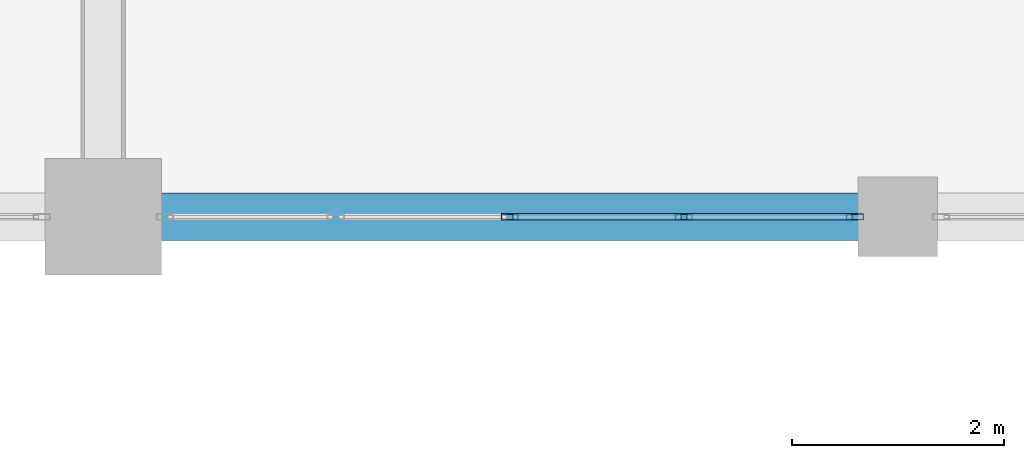
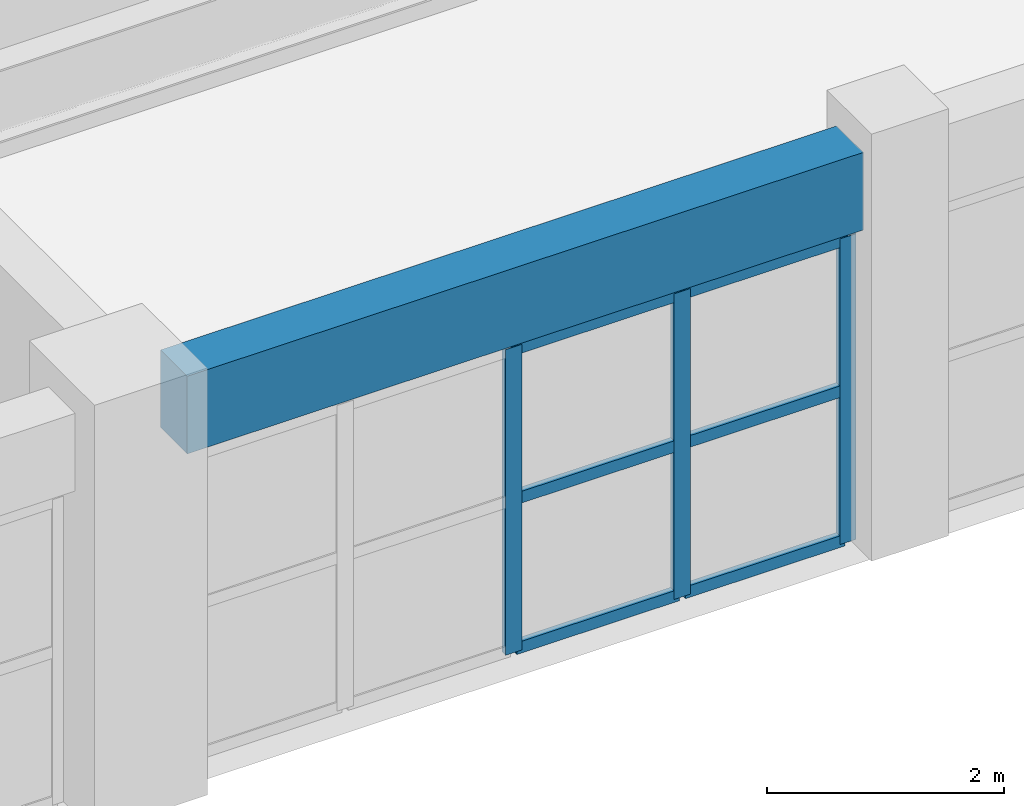
# One storey, part 20 of 90: 9 members, 1 beam, 1 element without a shape of its own.
"""IFC4 building model written with IfcOpenShell, lengths in metres."""

from ifc_helpers import new_model, si_unit, direction, frame, origin, origin_2d, place, context, subcontext, project, spatial, rectangle, hollow_rectangle, extrude, material, layer, layer_set, material_profile, profile_set, type_object, element, aggregate, save


model = new_model("IFC4")

# Units and contexts
model_context = context("Model", 3, precision=1e-05, world=origin(), true_north=direction((0.0, 1.0)))
body_context = subcontext(model_context, "Body", "Model", "MODEL_VIEW")
ifc_project = project(units=[si_unit("LENGTHUNIT", "METRE"), si_unit("AREAUNIT", "SQUARE_METRE"), si_unit("VOLUMEUNIT", "CUBIC_METRE"), si_unit("PLANEANGLEUNIT", "RADIAN"), si_unit("MASSUNIT", "GRAM", prefix="KILO")], contexts=[model_context])

# Site, building, storey
site_placement = place(None, origin())
site = spatial("IfcSite", under=ifc_project, at=site_placement, CompositionType="ELEMENT")
building_placement = place(site_placement, origin())
building = spatial("IfcBuilding", under=site, at=building_placement, Name="Muzn Square Opera House", CompositionType="ELEMENT")
storey_placement = place(building_placement, frame((0.0, 0.0, 9.800048828125)))
storey = spatial("IfcBuildingStorey", under=building, at=storey_placement, Name="L02", CompositionType="ELEMENT", Elevation=9.800048828125)

# Curtain wall, members
ifc_material_1 = material(Name="Low-E laminated acoustic double glazing", Category="glass")
ifc_layer = layer(ifc_material_1, 0.159912109375, Name="Low-E laminated acoustic double glazing", Category="glass")
ifc_layer_set = layer_set([ifc_layer], Name="Low-E laminated acoustic double glazing")
curtain_wall_type = type_object("IfcCurtainWallType", Name="Glazed Curtain Wall Forecourt 6575x3150", PredefinedType="USERDEFINED", material=ifc_layer_set)
curtain_wall_placement = place(storey_placement, origin())
curtain_wall = element("IfcCurtainWall", 1, at=curtain_wall_placement, inside=storey, type_object=curtain_wall_type, Name="Glazed Curtain Wall CW-L02-013", ObjectType="GLAZED CURTAIN WALL", PredefinedType="USERDEFINED")
ifc_material_2 = material(Name="Anodised bronze aluminium 6063-T6", Category="metal")
ifc_material_profile_1 = material_profile(ifc_material_2, hollow_rectangle(XDim=0.06005859375, YDim=0.159912109375, WallThickness=0.00390625, at=origin_2d()), Name="ALU 160x60x4", Category="metal")
ifc_profile_set_1 = profile_set([ifc_material_profile_1], Name="Anodised bronze aluminium 6063-T6")
member_type_1 = type_object("IfcMemberType", Name="Curtain Wall Mullion 160x60", PredefinedType="MULLION", material=ifc_profile_set_1)
member_1_placement = place(storey_placement, frame((76.83740234375, 22.0, 0.0), z_axis=(0.0, 0.0, 1.0), x_axis=(0.0, 1.0, 0.0)))
member_1 = element("IfcMember", 2, at=member_1_placement, type_object=member_type_1, Name="CW-FC-65x31 mullion 3", PredefinedType="MULLION", context=body_context, shape_type="SweptSolid", body=[
    extrude(hollow_rectangle(XDim=0.06005859375, YDim=0.159912109375, WallThickness=0.00390625, at=origin_2d()), origin(), (0.0, 0.0, 1.0), 3.14990234375),
])
member_2_placement = place(storey_placement, frame((78.481201171875, 22.0, 0.0), z_axis=(0.0, 0.0, 1.0), x_axis=(0.0, 1.0, 0.0)))
member_2 = element("IfcMember", 3, at=member_2_placement, type_object=member_type_1, Name="CW-FC-65x31 mullion 4", PredefinedType="MULLION", context=body_context, shape_type="SweptSolid", body=[
    extrude(hollow_rectangle(XDim=0.06005859375, YDim=0.159912109375, WallThickness=0.00390625, at=origin_2d()), origin(), (0.0, 0.0, 1.0), 3.14990234375),
])
member_3_placement = place(storey_placement, frame((80.094970703125, 22.0, 0.0), z_axis=(0.0, 0.0, 1.0), x_axis=(0.0, 1.0, 0.0)))
member_3 = element("IfcMember", 4, at=member_3_placement, type_object=member_type_1, Name="CW-FC-65x31 mullion 5", PredefinedType="MULLION", context=body_context, shape_type="SweptSolid", body=[
    extrude(hollow_rectangle(XDim=0.06005859375, YDim=0.159912109375, WallThickness=0.00390625, at=origin_2d()), origin(), (0.0, 0.0, 1.0), 3.14990234375),
])
ifc_material_profile_2 = material_profile(ifc_material_2, hollow_rectangle(XDim=0.06005859375, YDim=0.1201171875, WallThickness=0.00390625, at=origin_2d()), Name="ALU 120x60x4", Category="metal")
ifc_profile_set_2 = profile_set([ifc_material_profile_2], Name="Anodised bronze aluminium 6063-T6")
member_type_2 = type_object("IfcMemberType", Name="Curtain Wall Transom 120x60", PredefinedType="USERDEFINED", material=ifc_profile_set_2)
member_4_placement = place(storey_placement, frame((76.867431640625, 22.0, 0.030029296875), z_axis=(1.0, 0.0, 0.0), x_axis=(0.0, 1.0, 0.0)))
member_4 = element("IfcMember", 5, at=member_4_placement, type_object=member_type_2, Name="CW-FC-65x31 transom 3.1", ObjectType="TRANSOM", PredefinedType="USERDEFINED", context=body_context, shape_type="SweptSolid", body=[
    extrude(hollow_rectangle(XDim=0.06005859375, YDim=0.1201171875, WallThickness=0.00390625, at=origin_2d()), origin(), (0.0, 0.0, 1.0), 1.583740234375),
])
member_5_placement = place(storey_placement, frame((76.867431640625, 22.0, 1.574951171875), z_axis=(1.0, 0.0, 0.0), x_axis=(0.0, 1.0, 0.0)))
member_5 = element("IfcMember", 6, at=member_5_placement, type_object=member_type_2, Name="CW-FC-65x31 transom 3.2", ObjectType="TRANSOM", PredefinedType="USERDEFINED", context=body_context, shape_type="SweptSolid", body=[
    extrude(hollow_rectangle(XDim=0.06005859375, YDim=0.1201171875, WallThickness=0.00390625, at=origin_2d()), origin(), (0.0, 0.0, 1.0), 1.583740234375),
])
member_6_placement = place(storey_placement, frame((76.867431640625, 22.0, 3.119873046875), z_axis=(1.0, 0.0, 0.0), x_axis=(0.0, 1.0, 0.0)))
member_6 = element("IfcMember", 7, at=member_6_placement, type_object=member_type_2, Name="CW-FC-65x31 transom 3.3", ObjectType="TRANSOM", PredefinedType="USERDEFINED", context=body_context, shape_type="SweptSolid", body=[
    extrude(hollow_rectangle(XDim=0.06005859375, YDim=0.1201171875, WallThickness=0.00390625, at=origin_2d()), origin(), (0.0, 0.0, 1.0), 1.583740234375),
])
member_7_placement = place(storey_placement, frame((78.51123046875, 22.0, 0.030029296875), z_axis=(1.0, 0.0, 0.0), x_axis=(0.0, 1.0, 0.0)))
member_7 = element("IfcMember", 8, at=member_7_placement, type_object=member_type_2, Name="CW-FC-65x31 transom 4.1", ObjectType="TRANSOM", PredefinedType="USERDEFINED", context=body_context, shape_type="SweptSolid", body=[
    extrude(hollow_rectangle(XDim=0.06005859375, YDim=0.1201171875, WallThickness=0.00390625, at=origin_2d()), origin(), (0.0, 0.0, 1.0), 1.5537109375),
])
member_8_placement = place(storey_placement, frame((78.51123046875, 22.0, 1.574951171875), z_axis=(1.0, 0.0, 0.0), x_axis=(0.0, 1.0, 0.0)))
member_8 = element("IfcMember", 9, at=member_8_placement, type_object=member_type_2, Name="CW-FC-65x31 transom 4.2", ObjectType="TRANSOM", PredefinedType="USERDEFINED", context=body_context, shape_type="SweptSolid", body=[
    extrude(hollow_rectangle(XDim=0.06005859375, YDim=0.1201171875, WallThickness=0.00390625, at=origin_2d()), origin(), (0.0, 0.0, 1.0), 1.5537109375),
])
member_9_placement = place(storey_placement, frame((78.51123046875, 22.0, 3.119873046875), z_axis=(1.0, 0.0, 0.0), x_axis=(0.0, 1.0, 0.0)))
member_9 = element("IfcMember", 10, at=member_9_placement, type_object=member_type_2, Name="CW-FC-65x31 transom 4.3", ObjectType="TRANSOM", PredefinedType="USERDEFINED", context=body_context, shape_type="SweptSolid", body=[
    extrude(hollow_rectangle(XDim=0.06005859375, YDim=0.1201171875, WallThickness=0.00390625, at=origin_2d()), origin(), (0.0, 0.0, 1.0), 1.5537109375),
])
aggregate(curtain_wall, [member_1, member_2, member_3, member_4, member_5, member_6, member_7, member_8, member_9])

# Beam
ifc_material_3 = material(Name="Concrete C40/50", Category="concrete")
ifc_material_profile_3 = material_profile(ifc_material_3, rectangle(XDim=0.449951171875, YDim=0.800048828125, at=origin_2d()), Name="RCB 450x800", Category="concrete")
ifc_profile_set_3 = profile_set([ifc_material_profile_3], Name="Concrete C40/50")
beam_type = type_object("IfcBeamType", Name="Primary Girder 450x800", PredefinedType="BEAM", material=ifc_profile_set_3)
beam_placement = place(storey_placement, frame((73.5419921875, 22.0, 3.719970703125), z_axis=(1.0, 0.0, 0.0), x_axis=(0.0, 1.0, 0.0)))
element("IfcBeam", 11, at=beam_placement, inside=storey, type_object=beam_type, Name="Primary Girder BM-L02-BM-PG800-735_220_801_220-1953", PredefinedType="BEAM", context=body_context, shape_type="SweptSolid", body=[
    extrude(rectangle(XDim=0.449951171875, YDim=0.800048828125, at=origin_2d()), origin(), (0.0, 0.0, 1.0), 6.591064453125),
])

save(model, "model.ifc")
